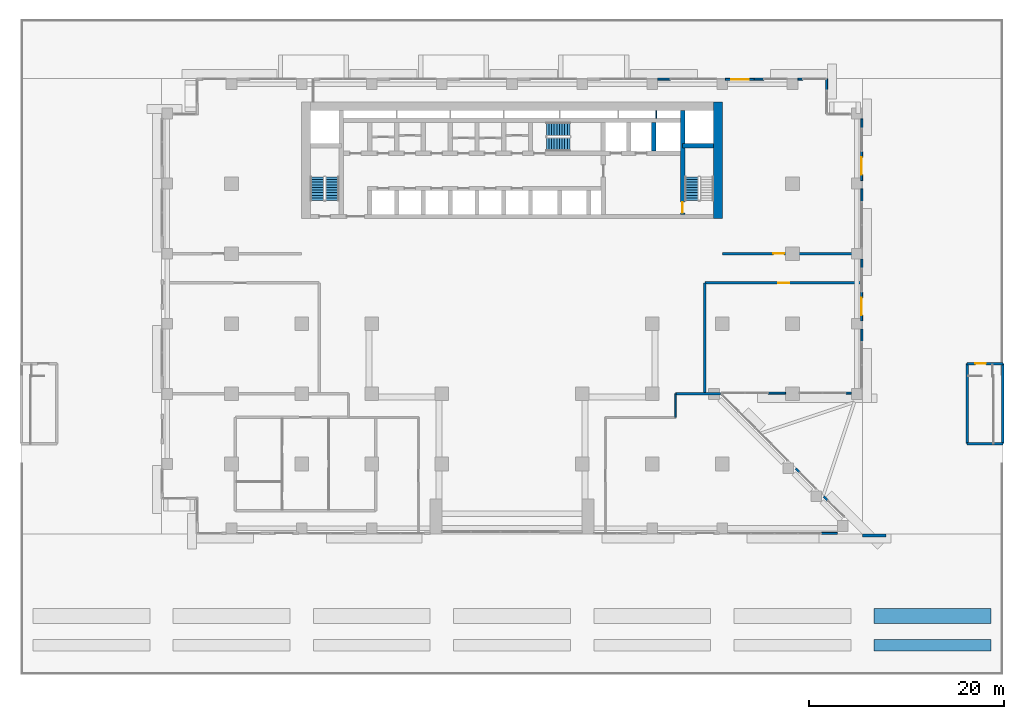
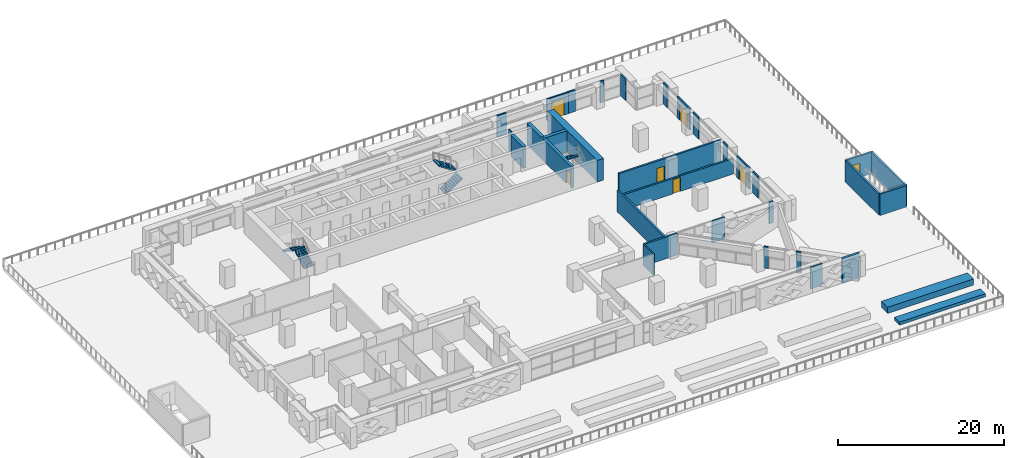
# One storey, part 16 of 24: 33 walls, 7 doors, 5 stair flights, 7 openings, 3 elements without a shape of their own.
"""IFC4 building model written with IfcOpenShell, lengths in metres."""

from ifc_helpers import new_model, si_unit, direction, frame, frame_2d, origin, place, context, subcontext, project, spatial, polyline, rectangle, outline, extrude, material, layer, layer_set, type_object, element, fill, aggregate, save


model = new_model("IFC4")

# Units and contexts
model_context = context("Model", 3, precision=1e-05, world=origin(), true_north=direction((0.0, 1.0)))
body_context = subcontext(model_context, "Body", "Model", "MODEL_VIEW")
ifc_project = project(units=[si_unit("LENGTHUNIT", "METRE"), si_unit("AREAUNIT", "SQUARE_METRE"), si_unit("VOLUMEUNIT", "CUBIC_METRE"), si_unit("PLANEANGLEUNIT", "RADIAN"), si_unit("MASSUNIT", "GRAM", prefix="KILO")], contexts=[model_context])

# Site, building, storey
site_placement = place(None, origin())
site = spatial("IfcSite", under=ifc_project, at=site_placement, CompositionType="ELEMENT")
building_placement = place(site_placement, origin())
building = spatial("IfcBuilding", under=site, at=building_placement, Name="Saffron Iwan Residences", CompositionType="ELEMENT")
storey_placement = place(building_placement, frame((0.0, 0.0, 27.0)))
storey = spatial("IfcBuildingStorey", under=building, at=storey_placement, Name="L05", CompositionType="ELEMENT", Elevation=27.0)

# Walls
ifc_material_1 = material(Name="Concrete blockwork", Category="masonry")
ifc_layer_1 = layer(ifc_material_1, 0.14990234375)
ifc_layer_set_1 = layer_set([ifc_layer_1], Name="Concrete blockwork")
wall_type_1 = type_object("IfcWallType", Name="Blockwork partition 150", PredefinedType="PARTITIONING", material=ifc_layer_set_1)
wall_1_placement = place(storey_placement, frame((67.199951171875, 45.60009765625, 0.0), z_axis=(0.0, 0.0, 1.0), x_axis=(0.0, 1.0, 0.0)))
element("IfcWall", 1, at=wall_1_placement, inside=storey, type_object=wall_type_1, Name="W-L05-027", PredefinedType="PARTITIONING", context=body_context, shape_type="SweptSolid", body=[
    extrude(rectangle(XDim=2.39990234375, YDim=0.14990234375, at=frame_2d((1.199951171875, 0.0))), origin(), (0.0, 0.0, 1.0), 3.179931640625),
])
ifc_material_2 = material(Name="Concrete C40/50", Category="concrete")
ifc_layer_2 = layer(ifc_material_2, 0.199951171875)
ifc_layer_set_2 = layer_set([ifc_layer_2], Name="Concrete C40/50")
wall_type_2 = type_object("IfcWallType", Name="EXTERNAL WALL 200", PredefinedType="SOLIDWALL", material=ifc_layer_set_2)
wall_2_placement = place(storey_placement, frame((82.8203125, 37.066650390625, 0.0), z_axis=(0.0, 0.0, 1.0), x_axis=(-0.707106781187, 0.707106781187, 0.0)))
element("IfcWall", 2, at=wall_2_placement, inside=storey, type_object=wall_type_2, Name="External wall infill CWD-L05-F0-1", PredefinedType="SOLIDWALL", context=body_context, shape_type="SweptSolid", body=[
    extrude(rectangle(XDim=0.576904296875, YDim=0.199951171875, at=frame_2d((0.28857421875, 0.0))), origin(), (0.0, 0.0, 1.0), 3.179931640625),
])
wall_3_placement = place(storey_placement, frame((79.9375, 39.949462890625, 0.0), z_axis=(0.0, 0.0, 1.0), x_axis=(-0.707106781187, 0.707106781187, 0.0)))
element("IfcWall", 3, at=wall_3_placement, inside=storey, type_object=wall_type_2, Name="External wall infill CWD-L05-F0-2", PredefinedType="SOLIDWALL", context=body_context, shape_type="SweptSolid", body=[
    extrude(rectangle(XDim=0.57275390625, YDim=0.199951171875, at=frame_2d((0.286376953125, 0.0))), origin(), (0.0, 0.0, 1.0), 3.179931640625),
])
wall_4_placement = place(storey_placement, frame((76.716796875, 48.080078125, 0.0), z_axis=(0.0, 0.0, 1.0), x_axis=(1.0, 0.0, 0.0)))
element("IfcWall", 4, at=wall_4_placement, inside=storey, type_object=wall_type_2, Name="External wall infill CWD-L05-F1-0", PredefinedType="SOLIDWALL", context=body_context, shape_type="SweptSolid", body=[
    extrude(rectangle(XDim=1.783203125, YDim=0.199951171875, at=frame_2d((0.8916015625, 0.0))), origin(), (0.0, 0.0, 1.0), 3.179931640625),
])
wall_5_placement = place(storey_placement, frame((84.699951171875, 48.080078125, 0.0), z_axis=(0.0, 0.0, 1.0), x_axis=(1.0, 0.0, 0.0)))
element("IfcWall", 5, at=wall_5_placement, inside=storey, type_object=wall_type_2, Name="External wall infill CWD-L05-F1-1", PredefinedType="SOLIDWALL", context=body_context, shape_type="SweptSolid", body=[
    extrude(rectangle(XDim=0.550048828125, YDim=0.199951171875, at=frame_2d((0.27490234375, 0.0))), origin(), (0.0, 0.0, 1.0), 3.179931640625),
])

# Wall, opening, door
wall_6_placement = place(storey_placement, frame((86.300048828125, 55.5, 0.0), z_axis=(0.0, 0.0, 1.0), x_axis=(0.0, 1.0, 0.0)))
wall_6 = element("IfcWall", 6, at=wall_6_placement, inside=storey, type_object=wall_type_2, Name="External wall L05 F2.D0", PredefinedType="SOLIDWALL", context=body_context, shape_type="SweptSolid", body=[
    extrude(rectangle(XDim=3.0, YDim=0.199951171875, at=frame_2d((1.5, 0.0))), origin(), (0.0, 0.0, 1.0), 3.179931640625),
])
opening_1_placement = place(wall_6_placement, frame((0.60009765625, 0.0, 0.0)))
opening_1 = element("IfcOpeningElement", 7, at=opening_1_placement, cuts=wall_6, Name="Opening BD1", PredefinedType="OPENING", context=body_context, shape_type="SweptSolid", body=[
    extrude(rectangle(XDim=1.800048828125, YDim=2.39990234375, at=frame_2d((0.89990234375, 1.199951171875))), frame((0.0, 0.10986328125, 0.0), z_axis=(0.0, -1.0, 0.0), x_axis=(1.0, 0.0, 0.0)), (0.0, 0.0, 1.0), 0.219970703125),
])
ifc_material_3 = material(Name="Clear glass, laminated double glazed", Category="glass")
door_type_1 = type_object("IfcDoorType", Name="BALCONY DOOR 1800 x 2400", OperationType="DOUBLE_DOOR_SLIDING", PredefinedType="DOOR", material=ifc_material_3)
door_1_placement = place(opening_1_placement, origin())
door_1 = element("IfcDoor", 8, at=door_1_placement, inside=storey, type_object=door_type_1, Name="Terrace door L05 F2.0", OperationType="DOUBLE_DOOR_SLIDING", OverallHeight=2.39990234375, OverallWidth=1.800048828125, PredefinedType="DOOR", context=body_context, shape_type="SweptSolid", body=[
    extrude(rectangle(XDim=1.800048828125, YDim=2.39990234375, at=frame_2d((0.89990234375, 1.199951171875))), frame((0.0, 0.02490234375, 0.0), z_axis=(0.0, -1.0, 0.0), x_axis=(1.0, 0.0, 0.0)), (0.0, 0.0, 1.0), 0.050048828125),
])
fill(opening_1, door_1)

wall_7_placement = place(storey_placement, frame((86.300048828125, 69.89990234375, 0.0), z_axis=(0.0, 0.0, 1.0), x_axis=(0.0, 1.0, 0.0)))
wall_7 = element("IfcWall", 9, at=wall_7_placement, inside=storey, type_object=wall_type_2, Name="External wall L05 F2.D1", PredefinedType="SOLIDWALL", context=body_context, shape_type="SweptSolid", body=[
    extrude(rectangle(XDim=3.0, YDim=0.199951171875, at=frame_2d((1.5, 0.0))), origin(), (0.0, 0.0, 1.0), 3.179931640625),
])
opening_2_placement = place(wall_7_placement, frame((0.60009765625, 0.0, 0.0)))
opening_2 = element("IfcOpeningElement", 10, at=opening_2_placement, cuts=wall_7, Name="Opening BD1", PredefinedType="OPENING", context=body_context, shape_type="SweptSolid", body=[
    extrude(rectangle(XDim=1.800048828125, YDim=2.39990234375, at=frame_2d((0.89990234375, 1.199951171875))), frame((0.0, 0.10986328125, 0.0), z_axis=(0.0, -1.0, 0.0), x_axis=(1.0, 0.0, 0.0)), (0.0, 0.0, 1.0), 0.219970703125),
])
door_2_placement = place(opening_2_placement, origin())
door_2 = element("IfcDoor", 11, at=door_2_placement, inside=storey, type_object=door_type_1, Name="Terrace door L05 F2.1", OperationType="DOUBLE_DOOR_SLIDING", OverallHeight=2.39990234375, OverallWidth=1.800048828125, PredefinedType="DOOR", context=body_context, shape_type="SweptSolid", body=[
    extrude(rectangle(XDim=1.800048828125, YDim=2.39990234375, at=frame_2d((0.89990234375, 1.199951171875))), frame((0.0, 0.02490234375, 0.0), z_axis=(0.0, -1.0, 0.0), x_axis=(1.0, 0.0, 0.0)), (0.0, 0.0, 1.0), 0.050048828125),
])
fill(opening_2, door_2)

# Walls
wall_8_placement = place(storey_placement, frame((86.320068359375, 53.35009765625, 0.0), z_axis=(0.0, 0.0, 1.0), x_axis=(0.0, 1.0, 0.0)))
element("IfcWall", 12, at=wall_8_placement, inside=storey, type_object=wall_type_2, Name="External wall infill CWD-L05-F2-0", PredefinedType="SOLIDWALL", context=body_context, shape_type="SweptSolid", body=[
    extrude(rectangle(XDim=1.2998046875, YDim=0.199951171875, at=frame_2d((0.64990234375, 0.0))), origin(), (0.0, 0.0, 1.0), 3.179931640625),
])
wall_9_placement = place(storey_placement, frame((86.320068359375, 60.89990234375, 0.0), z_axis=(0.0, 0.0, 1.0), x_axis=(0.0, 1.0, 0.0)))
element("IfcWall", 13, at=wall_9_placement, inside=storey, type_object=wall_type_2, Name="External wall infill CWD-L05-F2-1", PredefinedType="SOLIDWALL", context=body_context, shape_type="SweptSolid", body=[
    extrude(rectangle(XDim=0.9501953125, YDim=0.199951171875, at=frame_2d((0.47509765625, 0.0))), origin(), (0.0, 0.0, 1.0), 3.179931640625),
])
wall_10_placement = place(storey_placement, frame((86.320068359375, 67.75, 0.0), z_axis=(0.0, 0.0, 1.0), x_axis=(0.0, 1.0, 0.0)))
element("IfcWall", 14, at=wall_10_placement, inside=storey, type_object=wall_type_2, Name="External wall infill CWD-L05-F2-2", PredefinedType="SOLIDWALL", context=body_context, shape_type="SweptSolid", body=[
    extrude(rectangle(XDim=1.300048828125, YDim=0.199951171875, at=frame_2d((0.64990234375, 0.0))), origin(), (0.0, 0.0, 1.0), 3.179931640625),
])
wall_11_placement = place(storey_placement, frame((86.320068359375, 75.300048828125, 0.0), z_axis=(0.0, 0.0, 1.0), x_axis=(0.0, 1.0, 0.0)))
element("IfcWall", 15, at=wall_11_placement, inside=storey, type_object=wall_type_2, Name="External wall infill CWD-L05-F2-3", PredefinedType="SOLIDWALL", context=body_context, shape_type="SweptSolid", body=[
    extrude(rectangle(XDim=0.949951171875, YDim=0.199951171875, at=frame_2d((0.47509765625, 0.0))), origin(), (0.0, 0.0, 1.0), 3.179931640625),
])
wall_12_placement = place(storey_placement, frame((82.719970703125, 79.169921875, 0.0), z_axis=(0.0, 0.0, 1.0), x_axis=(0.0, 1.0, 0.0)))
element("IfcWall", 16, at=wall_12_placement, inside=storey, type_object=wall_type_2, Name="External wall infill CWD-L05-F4-0", PredefinedType="SOLIDWALL", context=body_context, shape_type="SweptSolid", body=[
    extrude(rectangle(XDim=1.2001953125, YDim=0.199951171875, at=frame_2d((0.60009765625, 0.0))), origin(), (0.0, 0.0, 1.0), 3.179931640625),
])

# Wall, opening, door
wall_13_placement = place(storey_placement, frame((75.300048828125, 80.300048828125, 0.0), z_axis=(0.0, 0.0, 1.0), x_axis=(-1.0, 0.0, 0.0)))
wall_13 = element("IfcWall", 17, at=wall_13_placement, inside=storey, type_object=wall_type_2, Name="External wall L05 F5.D0", PredefinedType="SOLIDWALL", context=body_context, shape_type="SweptSolid", body=[
    extrude(rectangle(XDim=3.0, YDim=0.199951171875, at=frame_2d((1.5, 0.0))), origin(), (0.0, 0.0, 1.0), 3.179931640625),
])
opening_3_placement = place(wall_13_placement, frame((0.60009765625, 0.0, 0.0)))
opening_3 = element("IfcOpeningElement", 18, at=opening_3_placement, cuts=wall_13, Name="Opening BD1", PredefinedType="OPENING", context=body_context, shape_type="SweptSolid", body=[
    extrude(rectangle(XDim=1.800048828125, YDim=2.39990234375, at=frame_2d((0.89990234375, 1.199951171875))), frame((0.0, 0.10986328125, 0.0), z_axis=(0.0, -1.0, 0.0), x_axis=(1.0, 0.0, 0.0)), (0.0, 0.0, 1.0), 0.219970703125),
])
door_3_placement = place(opening_3_placement, origin())
door_3 = element("IfcDoor", 19, at=door_3_placement, inside=storey, type_object=door_type_1, Name="Terrace door L05 F5.0", OperationType="DOUBLE_DOOR_SLIDING", OverallHeight=2.39990234375, OverallWidth=1.800048828125, PredefinedType="DOOR", context=body_context, shape_type="SweptSolid", body=[
    extrude(rectangle(XDim=1.800048828125, YDim=2.39990234375, at=frame_2d((0.89990234375, 1.199951171875))), frame((0.0, 0.02490234375, 0.0), z_axis=(0.0, -1.0, 0.0), x_axis=(1.0, 0.0, 0.0)), (0.0, 0.0, 1.0), 0.050048828125),
])
fill(opening_3, door_3)

# Walls
wall_14_placement = place(storey_placement, frame((80.27001953125, 80.320068359375, 0.0), z_axis=(0.0, 0.0, 1.0), x_axis=(-1.0, 0.0, 0.0)))
element("IfcWall", 20, at=wall_14_placement, inside=storey, type_object=wall_type_2, Name="External wall infill CWD-L05-F5-0", PredefinedType="SOLIDWALL", context=body_context, shape_type="SweptSolid", body=[
    extrude(rectangle(XDim=0.52001953125, YDim=0.199951171875, at=frame_2d((0.260009765625, 0.0))), origin(), (0.0, 0.0, 1.0), 3.179931640625),
])
wall_15_placement = place(storey_placement, frame((76.25, 80.320068359375, 0.0), z_axis=(0.0, 0.0, 1.0), x_axis=(-1.0, 0.0, 0.0)))
element("IfcWall", 21, at=wall_15_placement, inside=storey, type_object=wall_type_2, Name="External wall infill CWD-L05-F5-1", PredefinedType="SOLIDWALL", context=body_context, shape_type="SweptSolid", body=[
    extrude(rectangle(XDim=0.949951171875, YDim=0.199951171875, at=frame_2d((0.47509765625, 0.0))), origin(), (0.0, 0.0, 1.0), 3.179931640625),
])
wall_16_placement = place(storey_placement, frame((66.64990234375, 80.320068359375, 0.0), z_axis=(0.0, 0.0, 1.0), x_axis=(-1.0, 0.0, 0.0)))
element("IfcWall", 22, at=wall_16_placement, inside=storey, type_object=wall_type_2, Name="External wall infill CWD-L05-F5-2", PredefinedType="SOLIDWALL", context=body_context, shape_type="SweptSolid", body=[
    extrude(rectangle(XDim=1.2998046875, YDim=0.199951171875, at=frame_2d((0.64990234375, 0.0))), origin(), (0.0, 0.0, 1.0), 3.179931640625),
])
wall_17_placement = place(storey_placement, frame((82.14990234375, 33.679931640625, 0.0), z_axis=(0.0, 0.0, 1.0), x_axis=(1.0, 0.0, 0.0)))
element("IfcWall", 23, at=wall_17_placement, inside=storey, type_object=wall_type_2, Name="External wall infill CWD-L05-F11-6", PredefinedType="SOLIDWALL", context=body_context, shape_type="SweptSolid", body=[
    extrude(rectangle(XDim=1.66748046875, YDim=0.199951171875, at=frame_2d((0.833740234375, 0.0))), origin(), (0.0, 0.0, 1.0), 3.179931640625),
])
ifc_layer_3 = layer(ifc_material_2, 0.25)
ifc_layer_set_3 = layer_set([ifc_layer_3], Name="Concrete C40/50")
wall_type_3 = type_object("IfcWallType", Name="Fire compartment wall 250", PredefinedType="SOLIDWALL", material=ifc_layer_set_3)
wall_18_placement = place(storey_placement, frame((67.199951171875, 48.0, 0.0), z_axis=(0.0, 0.0, 1.0), x_axis=(1.0, 0.0, 0.0)))
element("IfcWall", 24, at=wall_18_placement, inside=storey, type_object=wall_type_3, Name="W-L05-009", PredefinedType="SOLIDWALL", context=body_context, shape_type="SweptSolid", body=[
    extrude(rectangle(XDim=4.630126953125, YDim=0.25, at=frame_2d((2.31494140625, 0.0))), origin(), (0.0, 0.0, 1.0), 3.179931640625),
])

# Wall, opening, door
wall_19_placement = place(storey_placement, frame((70.199951171875, 59.39990234375, 0.0), z_axis=(0.0, 0.0, 1.0), x_axis=(1.0, 0.0, 0.0)))
wall_19 = element("IfcWall", 25, at=wall_19_placement, inside=storey, type_object=wall_type_3, Name="W-L05-013", PredefinedType="SOLIDWALL", context=body_context, shape_type="SweptSolid", body=[
    extrude(rectangle(XDim=16.030029296875, YDim=0.25, at=frame_2d((8.01513671875, 0.0))), origin(), (0.0, 0.0, 1.0), 2.280029296875),
])
opening_4_placement = place(wall_19_placement, frame((7.550048828125, 0.0, 0.0)))
opening_4 = element("IfcOpeningElement", 26, at=opening_4_placement, cuts=wall_19, Name="Opening L05.08", PredefinedType="OPENING", context=body_context, shape_type="SweptSolid", body=[
    extrude(rectangle(XDim=1.10009765625, YDim=2.10009765625, at=frame_2d((0.550048828125, 1.050048828125))), frame((0.0, 0.135009765625, 0.0), z_axis=(0.0, -1.0, 0.0), x_axis=(1.0, 0.0, 0.0)), (0.0, 0.0, 1.0), 0.27001953125),
])
ifc_material_4 = material(Name="Timber", Category="wood")
door_type_2 = type_object("IfcDoorType", Name="Door 1100x2100", OperationType="NOTDEFINED", PredefinedType="DOOR", material=ifc_material_4)
door_4_placement = place(opening_4_placement, origin())
door_4 = element("IfcDoor", 27, at=door_4_placement, inside=storey, type_object=door_type_2, Name="D-L05-008", OperationType="SINGLE_SWING_RIGHT", OverallHeight=2.10009765625, OverallWidth=1.10009765625, PredefinedType="DOOR", context=body_context, shape_type="SweptSolid", body=[
    extrude(rectangle(XDim=1.10009765625, YDim=2.10009765625, at=frame_2d((0.550048828125, 1.050048828125))), frame((0.0, 0.02490234375, 0.0), z_axis=(0.0, -1.0, 0.0), x_axis=(1.0, 0.0, 0.0)), (0.0, 0.0, 1.0), 0.050048828125),
])
fill(opening_4, door_4)

wall_20_placement = place(storey_placement, frame((72.0, 62.39990234375, 0.0), z_axis=(0.0, 0.0, 1.0), x_axis=(1.0, 0.0, 0.0)))
wall_20 = element("IfcWall", 28, at=wall_20_placement, inside=storey, type_object=wall_type_3, Name="W-L05-015", PredefinedType="SOLIDWALL", context=body_context, shape_type="SweptSolid", body=[
    extrude(rectangle(XDim=14.22998046875, YDim=0.25, at=frame_2d((7.114990234375, 0.0))), origin(), (0.0, 0.0, 1.0), 3.179931640625),
])
opening_5_placement = place(wall_20_placement, frame((5.25, 0.0, 0.0)))
opening_5 = element("IfcOpeningElement", 29, at=opening_5_placement, cuts=wall_20, Name="Opening L05.09", PredefinedType="OPENING", context=body_context, shape_type="SweptSolid", body=[
    extrude(rectangle(XDim=1.10009765625, YDim=2.10009765625, at=frame_2d((0.550048828125, 1.050048828125))), frame((0.0, 0.135009765625, 0.0), z_axis=(0.0, -1.0, 0.0), x_axis=(1.0, 0.0, 0.0)), (0.0, 0.0, 1.0), 0.27001953125),
])
door_5_placement = place(opening_5_placement, origin())
door_5 = element("IfcDoor", 30, at=door_5_placement, inside=storey, type_object=door_type_2, Name="D-L05-009", OperationType="SINGLE_SWING_LEFT", OverallHeight=2.10009765625, OverallWidth=1.10009765625, PredefinedType="DOOR", context=body_context, shape_type="SweptSolid", body=[
    extrude(rectangle(XDim=1.10009765625, YDim=2.10009765625, at=frame_2d((0.550048828125, 1.050048828125))), frame((0.0, 0.02490234375, 0.0), z_axis=(0.0, -1.0, 0.0), x_axis=(1.0, 0.0, 0.0)), (0.0, 0.0, 1.0), 0.050048828125),
])
fill(opening_5, door_5)

# Walls
wall_21_placement = place(storey_placement, frame((70.199951171875, 48.125, 0.0), z_axis=(0.0, 0.0, 1.0), x_axis=(0.0, 1.0, 0.0)))
element("IfcWall", 31, at=wall_21_placement, inside=storey, type_object=wall_type_3, Name="W-L05-028", PredefinedType="SOLIDWALL", context=body_context, shape_type="SweptSolid", body=[
    extrude(rectangle(XDim=11.27490234375, YDim=0.25, at=frame_2d((5.637451171875, 0.0))), origin(), (0.0, 0.0, 1.0), 3.179931640625),
])
ifc_layer_4 = layer(ifc_material_2, 0.25)
ifc_layer_set_4 = layer_set([ifc_layer_4], Name="Concrete C40/50")
wall_type_4 = type_object("IfcWallType", Name="Head-house wall 250", PredefinedType="SOLIDWALL", material=ifc_layer_set_4)
wall_22_placement = place(storey_placement, frame((97.14990234375, 42.89990234375, 0.0), z_axis=(0.0, 0.0, 1.0), x_axis=(1.0, 0.0, 0.0)))
element("IfcWall", 32, at=wall_22_placement, inside=storey, type_object=wall_type_4, Name="W-L05-004", PredefinedType="SOLIDWALL", context=body_context, shape_type="SweptSolid", body=[
    extrude(rectangle(XDim=3.650146484375, YDim=0.25, at=frame_2d((1.8251953125, 0.0))), origin(), (0.0, 0.0, 1.0), 3.179931640625),
])

# Wall, opening, door
wall_23_placement = place(storey_placement, frame((97.14990234375, 51.10009765625, 0.0), z_axis=(0.0, 0.0, 1.0), x_axis=(1.0, 0.0, 0.0)))
wall_23 = element("IfcWall", 33, at=wall_23_placement, inside=storey, type_object=wall_type_4, Name="W-L05-011", PredefinedType="SOLIDWALL", context=body_context, shape_type="SweptSolid", body=[
    extrude(rectangle(XDim=3.650146484375, YDim=0.25, at=frame_2d((1.8251953125, 0.0))), origin(), (0.0, 0.0, 1.0), 3.179931640625),
])
opening_6_placement = place(wall_23_placement, frame((0.824951171875, 0.0, 0.0)))
opening_6 = element("IfcOpeningElement", 34, at=opening_6_placement, cuts=wall_23, Name="Opening L05.12", PredefinedType="OPENING", context=body_context, shape_type="SweptSolid", body=[
    extrude(rectangle(XDim=1.10009765625, YDim=2.10009765625, at=frame_2d((0.550048828125, 1.050048828125))), frame((0.0, 0.135009765625, 0.0), z_axis=(0.0, -1.0, 0.0), x_axis=(1.0, 0.0, 0.0)), (0.0, 0.0, 1.0), 0.27001953125),
])
door_6_placement = place(opening_6_placement, origin())
door_6 = element("IfcDoor", 35, at=door_6_placement, inside=storey, type_object=door_type_2, Name="D-L05-012", OperationType="SINGLE_SWING_LEFT", OverallHeight=2.10009765625, OverallWidth=1.10009765625, PredefinedType="DOOR", context=body_context, shape_type="SweptSolid", body=[
    extrude(rectangle(XDim=1.10009765625, YDim=2.10009765625, at=frame_2d((0.550048828125, 1.050048828125))), frame((0.0, 0.02490234375, 0.0), z_axis=(0.0, -1.0, 0.0), x_axis=(1.0, 0.0, 0.0)), (0.0, 0.0, 1.0), 0.050048828125),
])
fill(opening_6, door_6)

# Walls
for number, where, z_axis, x_axis, name in (
    (36, (97.14990234375, 42.89990234375, 0.0), (0.0, 0.0, 1.0), (0.0, 1.0, 0.0), "W-L05-029"),
    (37, (100.800048828125, 42.89990234375, 0.0), (0.0, 0.0, 1.0), (0.0, 1.0, 0.0), "W-L05-030"),
):
    element("IfcWall", number, at=place(storey_placement, frame(where, z_axis=z_axis, x_axis=x_axis)), inside=storey, type_object=wall_type_4, Name=name, PredefinedType="SOLIDWALL", context=body_context, shape_type="SweptSolid", body=[
        extrude(rectangle(XDim=8.2001953125, YDim=0.25, at=frame_2d((4.10009765625, 0.0))), origin(), (0.0, 0.0, 1.0), 3.179931640625),
    ])
ifc_material_5 = material(Name="Concrete C50/60 white painted", Category="concrete")
ifc_layer_5 = layer(ifc_material_5, 0.300048828125)
ifc_layer_set_5 = layer_set([ifc_layer_5], Name="Concrete C50/60 white painted")
wall_type_5 = type_object("IfcWallType", Name="PROW BLADE 300", PredefinedType="SOLIDWALL", material=ifc_layer_set_5)
wall_24_placement = place(storey_placement, frame((86.39990234375, 33.449951171875, -0.449951171875), z_axis=(0.0, 0.0, 1.0), x_axis=(1.0, 0.0, 0.0)))
element("IfcWall", 38, at=wall_24_placement, inside=storey, type_object=wall_type_5, Name="Prow blade L05", PredefinedType="SOLIDWALL", context=body_context, shape_type="SweptSolid", body=[
    extrude(rectangle(XDim=2.400146484375, YDim=0.300048828125, at=frame_2d((1.2001953125, 0.0))), origin(), (0.0, 0.0, 1.0), 3.6298828125),
])
ifc_material_6 = material(Name="Fire-rated plasterboard partition")
ifc_layer_6 = layer(ifc_material_6, 0.10009765625)
ifc_layer_set_6 = layer_set([ifc_layer_6], Name="Fire-rated plasterboard partition")
wall_type_6 = type_object("IfcWallType", Name="Riser partition 100", PredefinedType="PARTITIONING", material=ifc_layer_set_6)
wall_25_placement = place(storey_placement, frame((65.199951171875, 76.324951171875, 0.0), z_axis=(0.0, 0.0, 1.0), x_axis=(0.0, 1.0, 0.0)))
element("IfcWall", 39, at=wall_25_placement, inside=storey, type_object=wall_type_6, Name="Core partition P11", PredefinedType="PARTITIONING", context=body_context, shape_type="SweptSolid", body=[
    extrude(rectangle(XDim=0.775146484375, YDim=0.10009765625, at=frame_2d((0.3876953125, 0.0))), origin(), (0.0, 0.0, 1.0), 3.179931640625),
])
ifc_layer_7 = layer(ifc_material_2, 1.199951171875)
ifc_layer_set_7 = layer_set([ifc_layer_7], Name="Concrete C40/50")
wall_type_7 = type_object("IfcWallType", Name="Terrace planter wall 1200", PredefinedType="SOLIDWALL", material=ifc_layer_set_7)
wall_26_placement = place(storey_placement, frame((87.60009765625, 22.199951171875, 0.050048828125), z_axis=(0.0, 0.0, 1.0), x_axis=(1.0, 0.0, 0.0)))
element("IfcWall", 40, at=wall_26_placement, inside=storey, type_object=wall_type_7, Name="PLANTER terrace L05 13", PredefinedType="SOLIDWALL", context=body_context, shape_type="SweptSolid", body=[
    extrude(rectangle(XDim=12.0, YDim=1.199951171875, at=frame_2d((6.0, 0.0))), origin(), (0.0, 0.0, 1.0), 0.449951171875),
])
ifc_layer_8 = layer(ifc_material_2, 1.5)
ifc_layer_set_8 = layer_set([ifc_layer_8], Name="Concrete C40/50")
wall_type_8 = type_object("IfcWallType", Name="Terrace planter wall 1500", PredefinedType="SOLIDWALL", material=ifc_layer_set_8)
wall_27_placement = place(storey_placement, frame((87.60009765625, 25.199951171875, 0.050048828125), z_axis=(0.0, 0.0, 1.0), x_axis=(1.0, 0.0, 0.0)))
element("IfcWall", 41, at=wall_27_placement, inside=storey, type_object=wall_type_8, Name="PLANTER terrace L05 14", PredefinedType="SOLIDWALL", context=body_context, shape_type="SweptSolid", body=[
    extrude(rectangle(XDim=12.0, YDim=1.5, at=frame_2d((6.0, 0.0))), origin(), (0.0, 0.0, 1.0), 0.89990234375),
])
ifc_material_7 = material(Name="Concrete C60/75", Category="concrete")
ifc_layer_9 = layer(ifc_material_7, 0.449951171875)
ifc_layer_set_9 = layer_set([ifc_layer_9], Name="Concrete C60/75")
wall_type_9 = type_object("IfcWallType", Name="WALL CORE 450 C60/75 3180 HIGH", PredefinedType="SHEAR", material=ifc_layer_set_9)
wall_28_placement = place(storey_placement, frame((67.925048828125, 73.47509765625, 0.0), z_axis=(0.0, 0.0, 1.0), x_axis=(1.0, 0.0, 0.0)))
element("IfcWall", 42, at=wall_28_placement, inside=storey, type_object=wall_type_9, Name="Core wall", PredefinedType="SHEAR", context=body_context, shape_type="SweptSolid", body=[
    extrude(rectangle(XDim=3.175048828125, YDim=0.449951171875, at=frame_2d((1.58740234375, 0.0))), origin(), (0.0, 0.0, 1.0), 3.179931640625),
])

# Wall, opening, door
wall_29_placement = place(storey_placement, frame((67.925048828125, 66.449951171875, 0.0), z_axis=(0.0, 0.0, 1.0), x_axis=(0.0, 1.0, 0.0)))
wall_29 = element("IfcWall", 43, at=wall_29_placement, inside=storey, type_object=wall_type_9, Name="Core wall", PredefinedType="SHEAR", context=body_context, shape_type="SweptSolid", body=[
    extrude(rectangle(XDim=10.650146484375, YDim=0.449951171875, at=frame_2d((5.3251953125, 0.0))), origin(), (0.0, 0.0, 1.0), 3.179931640625),
])
opening_7_placement = place(wall_29_placement, frame((0.14990234375, 0.0, 0.0)))
opening_7 = element("IfcOpeningElement", 44, at=opening_7_placement, cuts=wall_29, Name="Opening SD", PredefinedType="OPENING", context=body_context, shape_type="SweptSolid", body=[
    extrude(rectangle(XDim=1.10009765625, YDim=2.10009765625, at=frame_2d((0.550048828125, 1.050048828125))), frame((0.0, 0.23486328125, 0.0), z_axis=(0.0, -1.0, 0.0), x_axis=(1.0, 0.0, 0.0)), (0.0, 0.0, 1.0), 0.469970703125),
])
ifc_material_8 = material(Name="Steel fire door", Category="steel")
door_type_3 = type_object("IfcDoorType", Name="Stair door 1100", OperationType="NOTDEFINED", PredefinedType="DOOR", material=ifc_material_8)
door_7_placement = place(opening_7_placement, origin())
door_7 = element("IfcDoor", 45, at=door_7_placement, inside=storey, type_object=door_type_3, Name="Stair door ST-E", OperationType="SINGLE_SWING_LEFT", OverallHeight=2.10009765625, OverallWidth=1.10009765625, PredefinedType="DOOR", context=body_context, shape_type="SweptSolid", body=[
    extrude(rectangle(XDim=1.10009765625, YDim=2.10009765625, at=frame_2d((0.550048828125, 1.050048828125))), frame((0.0, 0.02490234375, 0.0), z_axis=(0.0, -1.0, 0.0), x_axis=(1.0, 0.0, 0.0)), (0.0, 0.0, 1.0), 0.050048828125),
])
fill(opening_7, door_7)

# Walls
wall_30_placement = place(storey_placement, frame((64.97509765625, 72.925048828125, 0.0), z_axis=(0.0, 0.0, 1.0), x_axis=(0.0, 1.0, 0.0)))
element("IfcWall", 46, at=wall_30_placement, inside=storey, type_object=wall_type_9, Name="Core wall", PredefinedType="SHEAR", context=body_context, shape_type="SweptSolid", body=[
    extrude(rectangle(XDim=2.949951171875, YDim=0.449951171875, at=frame_2d((1.47509765625, 0.0))), origin(), (0.0, 0.0, 1.0), 3.179931640625),
])
ifc_layer_10 = layer(ifc_material_7, 0.89990234375)
ifc_layer_set_10 = layer_set([ifc_layer_10], Name="Concrete C60/75")
wall_type_10 = type_object("IfcWallType", Name="WALL CORE 900 C60/75 3180 HIGH", PredefinedType="SHEAR", material=ifc_layer_set_10)
wall_31_placement = place(storey_placement, frame((71.550048828125, 66.0, 0.0), z_axis=(0.0, 0.0, 1.0), x_axis=(0.0, 1.0, 0.0)))
element("IfcWall", 47, at=wall_31_placement, inside=storey, type_object=wall_type_10, Name="Core wall", PredefinedType="SHEAR", context=body_context, shape_type="SweptSolid", body=[
    extrude(rectangle(XDim=12.0, YDim=0.89990234375, at=frame_2d((6.0, 0.0))), origin(), (0.0, 0.0, 1.0), 3.179931640625),
])

# Stair, stair flights
ifc_material_9 = material(Name="Concrete C50/60", Category="concrete")
stair_type = type_object("IfcStairType", Name="Stair ST-CORE", PredefinedType="HALF_TURN_STAIR", material=ifc_material_9)
stair_1_placement = place(storey_placement, origin())
stair_1 = element("IfcStair", 48, at=stair_1_placement, inside=storey, type_object=stair_type, Name="L05 Exit Stair ST-W", PredefinedType="HALF_TURN_STAIR")
ifc_layer_11 = layer(ifc_material_9, 0.14990234375)
ifc_layer_set_11 = layer_set([ifc_layer_11], Name="Concrete C50/60")
stair_flight_type = type_object("IfcStairFlightType", Name="Stair flight SFL-RC", PredefinedType="STRAIGHT", material=ifc_layer_set_11)
stair_flight_1_placement = place(storey_placement, frame((31.949951171875, 67.85009765625, 0.0), z_axis=(0.0, 0.0, 1.0), x_axis=(0.0, 1.0, 0.0)))
stair_flight_1 = element("IfcStairFlight", 49, at=stair_flight_1_placement, type_object=stair_flight_type, Name="ST-W flight 1", NumberOfRisers=10, NumberOfTreads=9, PredefinedType="STRAIGHT", RiserHeight=0.175, TreadLength=0.27, context=body_context, shape_type="SweptSolid", body=[
    extrude(outline(polyline([(0.0, 0.0), (0.0, 0.175048828125), (0.27001953125, 0.175048828125), (0.27001953125, 0.35009765625), (0.5400390625, 0.35009765625), (0.5400390625, 0.52490234375), (0.81005859375, 0.52490234375), (0.81005859375, 0.699951171875), (1.080078125, 0.699951171875), (1.080078125, 0.875), (1.35009765625, 0.875), (1.35009765625, 1.050048828125), (1.6201171875, 1.050048828125), (1.6201171875, 1.22509765625), (1.889892578125, 1.22509765625), (1.889892578125, 1.39990234375), (2.159912109375, 1.39990234375), (2.159912109375, 1.574951171875), (2.429931640625, 1.574951171875), (2.429931640625, 1.75), (2.429931640625, 1.396484375), (0.275634765625, 0.0), (0.0, 0.0)])), frame((0.0, 0.699951171875, 0.0), z_axis=(0.0, -1.0, 0.0), x_axis=(1.0, 0.0, 0.0)), (0.0, 0.0, 1.0), 1.39990234375),
])
stair_flight_2_placement = place(storey_placement, frame((30.39990234375, 70.280029296875, 1.75), z_axis=(0.0, 0.0, 1.0), x_axis=(0.0, -1.0, 0.0)))
stair_flight_2 = element("IfcStairFlight", 50, at=stair_flight_2_placement, type_object=stair_flight_type, Name="ST-W flight 2", NumberOfRisers=10, NumberOfTreads=9, PredefinedType="STRAIGHT", RiserHeight=0.175, TreadLength=0.27, context=body_context, shape_type="SweptSolid", body=[
    extrude(outline(polyline([(0.0, 0.0), (0.0, 0.175048828125), (0.27001953125, 0.175048828125), (0.27001953125, 0.35009765625), (0.5400390625, 0.35009765625), (0.5400390625, 0.52490234375), (0.81005859375, 0.52490234375), (0.81005859375, 0.699951171875), (1.080078125, 0.699951171875), (1.080078125, 0.875), (1.35009765625, 0.875), (1.35009765625, 1.050048828125), (1.6201171875, 1.050048828125), (1.6201171875, 1.22509765625), (1.889892578125, 1.22509765625), (1.889892578125, 1.39990234375), (2.159912109375, 1.39990234375), (2.159912109375, 1.574951171875), (2.429931640625, 1.574951171875), (2.429931640625, 1.75), (2.429931640625, 1.396484375), (0.275634765625, 0.0), (0.0, 0.0)])), frame((0.0, 0.699951171875, 0.0), z_axis=(0.0, -1.0, 0.0), x_axis=(1.0, 0.0, 0.0)), (0.0, 0.0, 1.0), 1.39990234375),
])
aggregate(stair_1, [stair_flight_1, stair_flight_2])

stair_2_placement = place(storey_placement, origin())
stair_2 = element("IfcStair", 51, at=stair_2_placement, inside=storey, type_object=stair_type, Name="L05 Exit Stair ST-C", PredefinedType="HALF_TURN_STAIR")
stair_flight_3_placement = place(storey_placement, frame((53.925048828125, 73.625, 0.0), z_axis=(0.0, 0.0, 1.0), x_axis=(1.0, 0.0, 0.0)))
stair_flight_3 = element("IfcStairFlight", 52, at=stair_flight_3_placement, type_object=stair_flight_type, Name="ST-C flight 1", NumberOfRisers=10, NumberOfTreads=9, PredefinedType="STRAIGHT", RiserHeight=0.175, TreadLength=0.27, context=body_context, shape_type="SweptSolid", body=[
    extrude(outline(polyline([(0.0, 0.0), (0.0, 0.175048828125), (0.27001953125, 0.175048828125), (0.27001953125, 0.35009765625), (0.5400390625, 0.35009765625), (0.5400390625, 0.52490234375), (0.81005859375, 0.52490234375), (0.81005859375, 0.699951171875), (1.080078125, 0.699951171875), (1.080078125, 0.875), (1.35009765625, 0.875), (1.35009765625, 1.050048828125), (1.6201171875, 1.050048828125), (1.6201171875, 1.22509765625), (1.889892578125, 1.22509765625), (1.889892578125, 1.39990234375), (2.159912109375, 1.39990234375), (2.159912109375, 1.574951171875), (2.429931640625, 1.574951171875), (2.429931640625, 1.75), (2.429931640625, 1.396484375), (0.275634765625, 0.0), (0.0, 0.0)])), frame((0.0, 0.699951171875, 0.0), z_axis=(0.0, -1.0, 0.0), x_axis=(1.0, 0.0, 0.0)), (0.0, 0.0, 1.0), 1.39990234375),
])
stair_flight_4_placement = place(storey_placement, frame((56.35498046875, 75.175048828125, 1.75), z_axis=(0.0, 0.0, 1.0), x_axis=(-1.0, 0.0, 0.0)))
stair_flight_4 = element("IfcStairFlight", 53, at=stair_flight_4_placement, type_object=stair_flight_type, Name="ST-C flight 2", NumberOfRisers=10, NumberOfTreads=9, PredefinedType="STRAIGHT", RiserHeight=0.175, TreadLength=0.27, context=body_context, shape_type="SweptSolid", body=[
    extrude(outline(polyline([(0.0, 0.0), (0.0, 0.175048828125), (0.27001953125, 0.175048828125), (0.27001953125, 0.35009765625), (0.5400390625, 0.35009765625), (0.5400390625, 0.52490234375), (0.81005859375, 0.52490234375), (0.81005859375, 0.699951171875), (1.080078125, 0.699951171875), (1.080078125, 0.875), (1.35009765625, 0.875), (1.35009765625, 1.050048828125), (1.6201171875, 1.050048828125), (1.6201171875, 1.22509765625), (1.889892578125, 1.22509765625), (1.889892578125, 1.39990234375), (2.159912109375, 1.39990234375), (2.159912109375, 1.574951171875), (2.429931640625, 1.574951171875), (2.429931640625, 1.75), (2.429931640625, 1.396484375), (0.275634765625, 0.0), (0.0, 0.0)])), frame((0.0, 0.699951171875, 0.0), z_axis=(0.0, -1.0, 0.0), x_axis=(1.0, 0.0, 0.0)), (0.0, 0.0, 1.0), 1.39990234375),
])
aggregate(stair_2, [stair_flight_3, stair_flight_4])

# Stair, stair flight
stair_3_placement = place(storey_placement, origin())
stair_3 = element("IfcStair", 54, at=stair_3_placement, inside=storey, type_object=stair_type, Name="L05 Exit Stair ST-E", PredefinedType="HALF_TURN_STAIR")
stair_flight_5_placement = place(storey_placement, frame((68.85009765625, 70.280029296875, 1.75), z_axis=(0.0, 0.0, 1.0), x_axis=(0.0, -1.0, 0.0)))
stair_flight_5 = element("IfcStairFlight", 55, at=stair_flight_5_placement, type_object=stair_flight_type, Name="ST-E flight 2", NumberOfRisers=10, NumberOfTreads=9, PredefinedType="STRAIGHT", RiserHeight=0.175, TreadLength=0.27, context=body_context, shape_type="SweptSolid", body=[
    extrude(outline(polyline([(0.0, 0.0), (0.0, 0.175048828125), (0.27001953125, 0.175048828125), (0.27001953125, 0.35009765625), (0.5400390625, 0.35009765625), (0.5400390625, 0.52490234375), (0.81005859375, 0.52490234375), (0.81005859375, 0.699951171875), (1.080078125, 0.699951171875), (1.080078125, 0.875), (1.35009765625, 0.875), (1.35009765625, 1.050048828125), (1.6201171875, 1.050048828125), (1.6201171875, 1.22509765625), (1.889892578125, 1.22509765625), (1.889892578125, 1.39990234375), (2.159912109375, 1.39990234375), (2.159912109375, 1.574951171875), (2.429931640625, 1.574951171875), (2.429931640625, 1.75), (2.429931640625, 1.396484375), (0.275634765625, 0.0), (0.0, 0.0)])), frame((0.0, 0.699951171875, 0.0), z_axis=(0.0, -1.0, 0.0), x_axis=(1.0, 0.0, 0.0)), (0.0, 0.0, 1.0), 1.39990234375),
])
aggregate(stair_3, [stair_flight_5])

save(model, "model.ifc")
